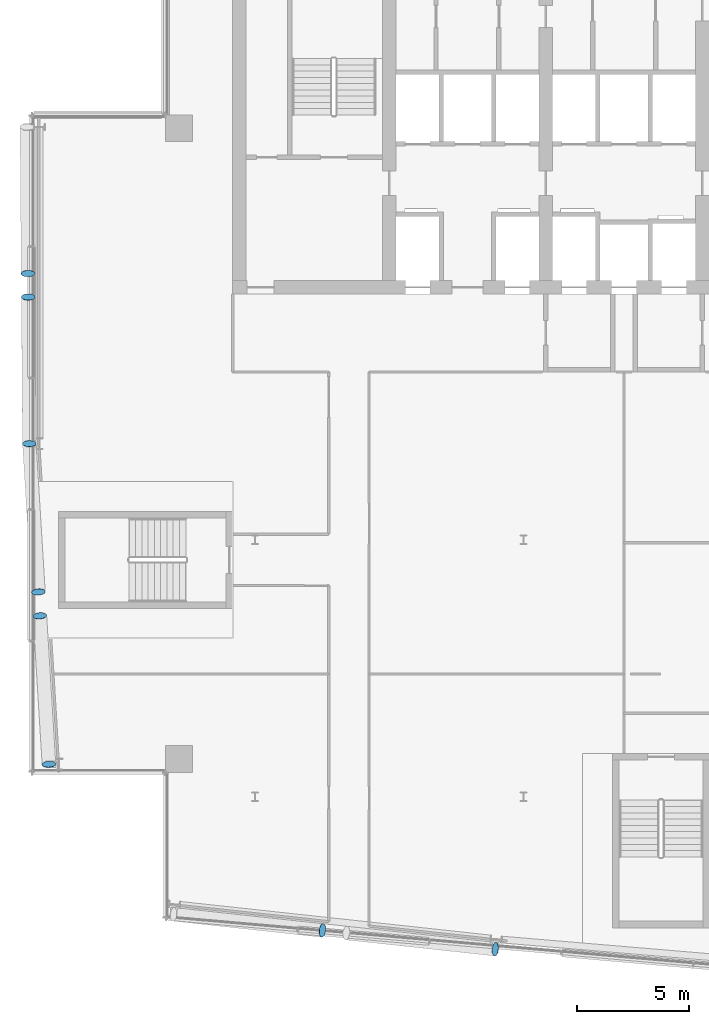
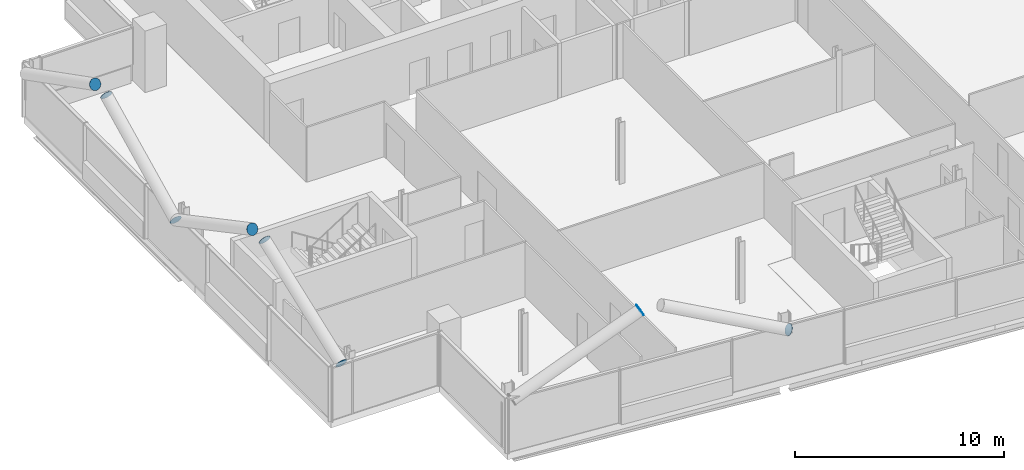
# One storey, part 22 of 28: 8 discrete accessories.
"""IFC4 building model written with IfcOpenShell, lengths in metres."""

from ifc_helpers import new_model, si_unit, direction, frame, origin, origin_2d, place, context, subcontext, project, spatial, circle, extrude, material, material_profile, profile_set, type_object, element, save


model = new_model("IFC4")

# Units and contexts
model_context = context("Model", 3, precision=1e-05, world=origin(), true_north=direction((0.0, 1.0)))
body_context = subcontext(model_context, "Body", "Model", "MODEL_VIEW")
ifc_project = project(units=[si_unit("LENGTHUNIT", "METRE"), si_unit("AREAUNIT", "SQUARE_METRE"), si_unit("VOLUMEUNIT", "CUBIC_METRE"), si_unit("PLANEANGLEUNIT", "RADIAN"), si_unit("MASSUNIT", "GRAM", prefix="KILO")], contexts=[model_context])

# Site, building, storey
site_placement = place(None, origin())
site = spatial("IfcSite", under=ifc_project, at=site_placement, CompositionType="ELEMENT")
building_placement = place(site_placement, origin())
building = spatial("IfcBuilding", under=site, at=building_placement, Name="Wharfspan Tower", CompositionType="ELEMENT")
storey_placement = place(building_placement, frame((0.0, 0.0, 250.300049)))
storey = spatial("IfcBuildingStorey", under=building, at=storey_placement, Name="L63", CompositionType="ELEMENT", Elevation=250.300049)

# Discrete accessories
ifc_material = material(Name="Steel S460NH", Category="steel")
ifc_material_profile = material_profile(ifc_material, circle(Radius=0.304932, at=origin_2d()))
ifc_profile_set = profile_set([ifc_material_profile], Name="Steel S460NH")
discrete_accessory_type = type_object("IfcDiscreteAccessoryType", Name="End plate CHS 610x25", PredefinedType="BRACKET", material=ifc_profile_set)
discrete_accessory_1_placement = place(storey_placement, frame((27.005371, 5.52832, 6.22876), z_axis=(0.885482, -0.095728, 0.454707), x_axis=(0.107482, 0.994211, 1e-06)))
element("IfcDiscreteAccessory", 1, at=discrete_accessory_1_placement, inside=storey, type_object=discrete_accessory_type, Name="End plate CHS 610x25", PredefinedType="BRACKET", context=body_context, shape_type="SweptSolid", body=[
    extrude(circle(Radius=0.304932, at=origin_2d()), origin(), (0.0, 0.0, 1.0), 0.010254),
])
discrete_accessory_2_placement = place(storey_placement, frame((34.750732, 4.688965, 2.895508), z_axis=(-0.895016, 0.096758, 0.435413), x_axis=(-0.107482, -0.994209, -1e-06)))
element("IfcDiscreteAccessory", 2, at=discrete_accessory_2_placement, inside=storey, type_object=discrete_accessory_type, Name="End plate CHS 610x25", PredefinedType="BRACKET", context=body_context, shape_type="SweptSolid", body=[
    extrude(circle(Radius=0.304932, at=origin_2d()), origin(), (0.0, 0.0, 1.0), 0.01001),
])
discrete_accessory_3_placement = place(storey_placement, frame((13.844727, 34.910645, 6.22998), z_axis=(0.024035, -0.88931, 0.456673), x_axis=(0.999631, 0.027015, -3e-06)))
element("IfcDiscreteAccessory", 3, at=discrete_accessory_3_placement, inside=storey, type_object=discrete_accessory_type, Name="End plate CHS 610x25", PredefinedType="BRACKET", context=body_context, shape_type="SweptSolid", body=[
    extrude(circle(Radius=0.304932, at=origin_2d()), origin(), (0.0, 0.0, 1.0), 0.010254),
])
for number, where, z_axis, x_axis, name in (
    (4, (13.905029, 27.291016, 2.895508), (0.0, 0.899235, 0.437466), (-1.0, 0.0, 0.0), "End plate CHS 610x25"),
    (5, (13.853271, 33.849121, 6.22998), (0.0, 0.884385, 0.466759), (-1.0, 0.0, 0.0), "End plate CHS 610x25"),
):
    element("IfcDiscreteAccessory", number, at=place(storey_placement, frame(where, z_axis=z_axis, x_axis=x_axis)), inside=storey, type_object=discrete_accessory_type, Name=name, PredefinedType="BRACKET", context=body_context, shape_type="SweptSolid", body=[
        extrude(circle(Radius=0.304932, at=origin_2d()), origin(), (0.0, 0.0, 1.0), 0.01001),
    ])
discrete_accessory_4_placement = place(storey_placement, frame((14.310791, 20.670654, 6.229248), z_axis=(0.07194, -0.887262, 0.455621), x_axis=(0.996733, 0.080816, 0.0)))
element("IfcDiscreteAccessory", 6, at=discrete_accessory_4_placement, inside=storey, type_object=discrete_accessory_type, Name="End plate CHS 610x25", PredefinedType="BRACKET", context=body_context, shape_type="SweptSolid", body=[
    extrude(circle(Radius=0.304932, at=origin_2d()), origin(), (0.0, 0.0, 1.0), 0.010254),
])
discrete_accessory_5_placement = place(storey_placement, frame((14.783203, 12.95459, 2.895508), z_axis=(-0.049629, 0.893325, 0.446663), x_axis=(-0.998463, -0.05547, 0.0)))
element("IfcDiscreteAccessory", 7, at=discrete_accessory_5_placement, inside=storey, type_object=discrete_accessory_type, Name="End plate CHS 610x25", PredefinedType="BRACKET", context=body_context, shape_type="SweptSolid", body=[
    extrude(circle(Radius=0.304932, at=origin_2d()), origin(), (0.0, 0.0, 1.0), 0.009766),
])
discrete_accessory_6_placement = place(storey_placement, frame((14.376953, 19.592773, 6.229248), z_axis=(-0.07194, 0.887262, 0.455621), x_axis=(-0.996733, -0.080816, 0.0)))
element("IfcDiscreteAccessory", 8, at=discrete_accessory_6_placement, inside=storey, type_object=discrete_accessory_type, Name="End plate CHS 610x25", PredefinedType="BRACKET", context=body_context, shape_type="SweptSolid", body=[
    extrude(circle(Radius=0.304932, at=origin_2d()), origin(), (0.0, 0.0, 1.0), 0.010254),
])

save(model, "model.ifc")
